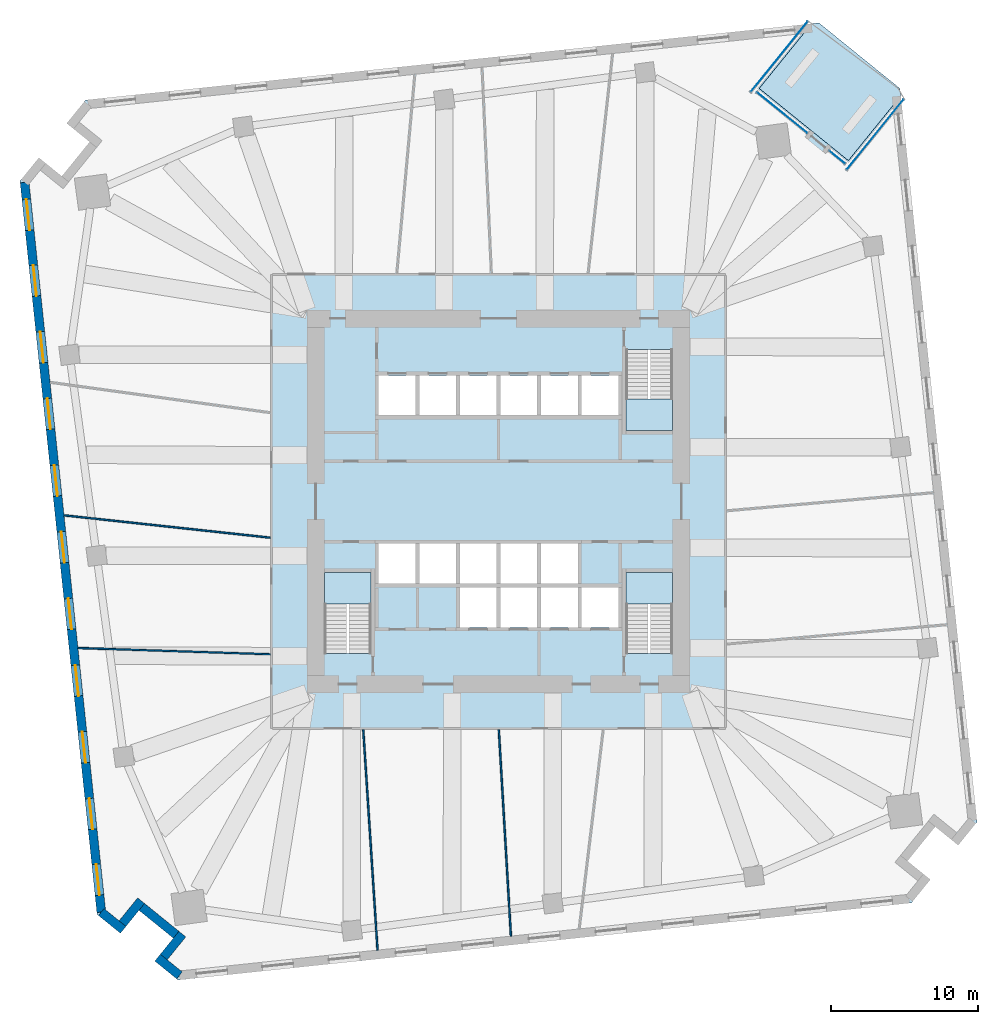
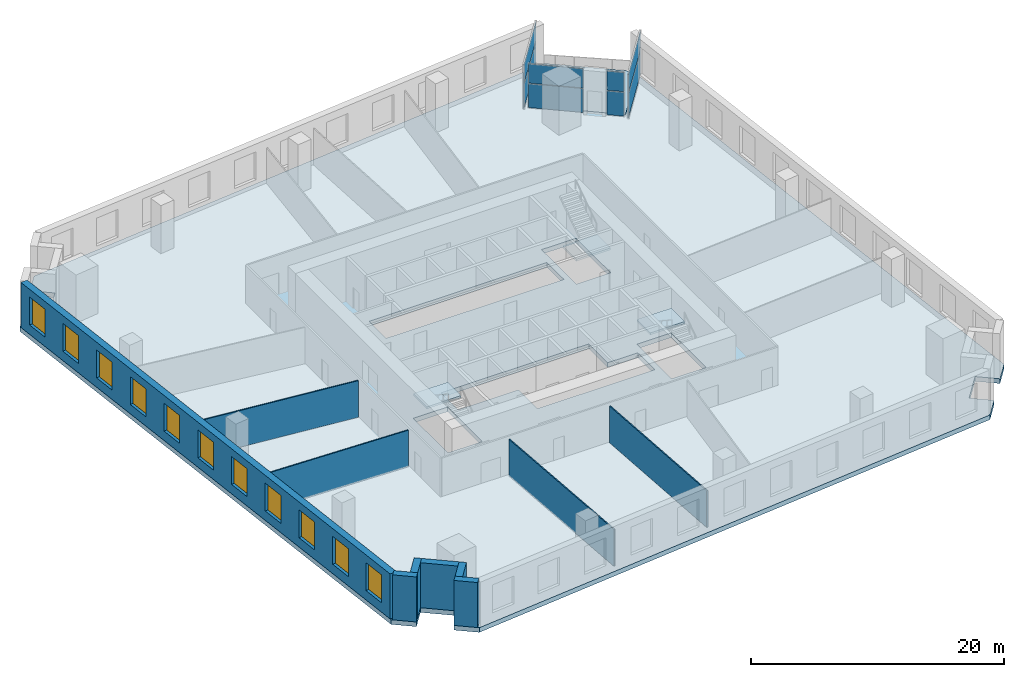
# One storey, part 3 of 10: 11 windows, 10 walls, 8 plates, 5 slabs, 11 openings, 7 elements without a shape of their own.
"""IFC4 building model written with IfcOpenShell, lengths in metres."""

from ifc_helpers import new_model, si_unit, direction, frame, frame_2d, origin, origin_2d, place, context, subcontext, project, spatial, polyline, rectangle, outline, extrude, material, layer, layer_set, type_object, element, fill, aggregate, save


model = new_model("IFC4")

# Units and contexts
model_context = context("Model", 3, precision=1e-05, world=origin(), true_north=direction((0.0, 1.0)))
body_context = subcontext(model_context, "Body", "Model", "MODEL_VIEW")
ifc_project = project(units=[si_unit("LENGTHUNIT", "METRE"), si_unit("AREAUNIT", "SQUARE_METRE"), si_unit("VOLUMEUNIT", "CUBIC_METRE"), si_unit("PLANEANGLEUNIT", "RADIAN"), si_unit("MASSUNIT", "GRAM", prefix="KILO")], contexts=[model_context])

# Site, building, storey
site_placement = place(None, origin())
site = spatial("IfcSite", under=ifc_project, at=site_placement, CompositionType="ELEMENT")
building_placement = place(site_placement, origin())
building = spatial("IfcBuilding", under=site, at=building_placement, Name="Dilmun Exchange Tower", CompositionType="ELEMENT")
storey_placement = place(building_placement, frame((0.0, 0.0, 36.89990234375)))
storey = spatial("IfcBuildingStorey", under=building, at=storey_placement, Name="L08", CompositionType="ELEMENT", Elevation=36.89990234375)

# Stair, slab
ifc_material_1 = material(Name="Concrete C40/50", Category="concrete")
stair_type = type_object("IfcStairType", Name="Exit stair 1500 half-turn", PredefinedType="HALF_TURN_STAIR", material=ifc_material_1)
stair_1_placement = place(storey_placement, origin())
stair_1 = element("IfcStair", 1, at=stair_1_placement, inside=storey, type_object=stair_type, Name="L08 Protected exit stair ST1", PredefinedType="HALF_TURN_STAIR")
ifc_layer_1 = layer(ifc_material_1, 0.199951171875)
ifc_layer_set_1 = layer_set([ifc_layer_1], Name="Concrete C40/50")
slab_type_1 = type_object("IfcSlabType", Name="Exit stair landing 200", PredefinedType="LANDING", material=ifc_layer_set_1)
slab_1_placement = place(storey_placement, frame((0.0, 0.0, 2.2001953125)))
slab_1 = element("IfcSlab", 2, at=slab_1_placement, type_object=slab_type_1, Name="ST1 landing 1", PredefinedType="LANDING", context=body_context, shape_type="SweptSolid", body=[
    extrude(outline(polyline([(8.64990234375, 6.93994140625), (8.64990234375, 4.800048828125), (11.800048828125, 4.800048828125), (11.800048828125, 6.93994140625), (8.64990234375, 6.93994140625)])), origin(), (0.0, 0.0, 1.0), 0.199951171875),
])
aggregate(stair_1, [slab_1])

stair_2_placement = place(storey_placement, origin())
stair_2 = element("IfcStair", 3, at=stair_2_placement, inside=storey, type_object=stair_type, Name="L08 Protected exit stair ST2", PredefinedType="HALF_TURN_STAIR")
slab_2_placement = place(storey_placement, frame((0.0, 0.0, 2.2001953125)))
slab_2 = element("IfcSlab", 4, at=slab_2_placement, type_object=slab_type_1, Name="ST2 landing 1", PredefinedType="LANDING", context=body_context, shape_type="SweptSolid", body=[
    extrude(outline(polyline([(-8.64990234375, -6.93994140625), (-8.64990234375, -4.800048828125), (-11.800048828125, -4.800048828125), (-11.800048828125, -6.93994140625), (-8.64990234375, -6.93994140625)])), origin(), (0.0, 0.0, 1.0), 0.199951171875),
])
aggregate(stair_2, [slab_2])

stair_3_placement = place(storey_placement, origin())
stair_3 = element("IfcStair", 5, at=stair_3_placement, inside=storey, type_object=stair_type, Name="L08 Protected exit stair ST3", PredefinedType="HALF_TURN_STAIR")
slab_3_placement = place(storey_placement, frame((0.0, 0.0, 2.2001953125)))
slab_3 = element("IfcSlab", 6, at=slab_3_placement, type_object=slab_type_1, Name="ST3 landing 1", PredefinedType="LANDING", context=body_context, shape_type="SweptSolid", body=[
    extrude(outline(polyline([(11.800048828125, -6.93994140625), (11.800048828125, -4.800048828125), (8.64990234375, -4.800048828125), (8.64990234375, -6.93994140625), (11.800048828125, -6.93994140625)])), origin(), (0.0, 0.0, 1.0), 0.199951171875),
])
aggregate(stair_3, [slab_3])

# Curtain wall, plates
ifc_material_2 = material(Name="Anodised aluminium and clear glass", Category="aluminium")
curtain_wall_type = type_object("IfcCurtainWallType", Name="Garden corner glazing", PredefinedType="NOTDEFINED", material=ifc_material_2)
curtain_wall_1_placement = place(storey_placement, origin())
curtain_wall_1 = element("IfcCurtainWall", 7, at=curtain_wall_1_placement, inside=storey, type_object=curtain_wall_type, Name="Garden corner glazing run GC1.1", PredefinedType="NOTDEFINED")
ifc_material_3 = material(Name="Clear glass", Category="glass")
ifc_layer_2 = layer(ifc_material_3, 0.028076171875)
ifc_layer_set_2 = layer_set([ifc_layer_2], Name="Clear glass")
plate_type = type_object("IfcPlateType", Name="Garden corner glazing glass panel 28", PredefinedType="CURTAIN_PANEL", material=ifc_layer_set_2)
plate_1_placement = place(storey_placement, frame((25.542236328125, 24.885498046875, 0.06005859375), z_axis=(0.0, 0.0, 1.0), x_axis=(-0.629328550374, -0.777139354096, 0.0)))
plate_1 = element("IfcPlate", 8, at=plate_1_placement, type_object=plate_type, Name="GC1.1 panel 1.1", PredefinedType="CURTAIN_PANEL", context=body_context, shape_type="SweptSolid", body=[
    extrude(rectangle(XDim=6.12646484375, YDim=0.028076171875, at=origin_2d()), origin(), (0.0, 0.0, 1.0), 2.31005859375),
])
plate_2_placement = place(storey_placement, frame((25.542236328125, 24.885498046875, 2.43017578125), z_axis=(0.0, 0.0, 1.0), x_axis=(-0.629328550374, -0.777139354096, 0.0)))
plate_2 = element("IfcPlate", 9, at=plate_2_placement, type_object=plate_type, Name="GC1.1 panel 1.2", PredefinedType="CURTAIN_PANEL", context=body_context, shape_type="SweptSolid", body=[
    extrude(rectangle(XDim=6.12646484375, YDim=0.028076171875, at=origin_2d()), origin(), (0.0, 0.0, 1.0), 1.860107421875),
])
aggregate(curtain_wall_1, [plate_1, plate_2])

curtain_wall_2_placement = place(storey_placement, origin())
curtain_wall_2 = element("IfcCurtainWall", 10, at=curtain_wall_2_placement, inside=storey, type_object=curtain_wall_type, Name="Garden corner glazing run GC2.1", PredefinedType="NOTDEFINED")
plate_3_placement = place(storey_placement, frame((22.953857421875, 23.348876953125, 0.06005859375), z_axis=(0.0, 0.0, 1.0), x_axis=(-0.777140076712, 0.629327658035, 0.0)))
plate_3 = element("IfcPlate", 11, at=plate_3_placement, type_object=plate_type, Name="GC2.1 panel 1.1", PredefinedType="CURTAIN_PANEL", context=body_context, shape_type="SweptSolid", body=[
    extrude(rectangle(XDim=1.369140625, YDim=0.028076171875, at=origin_2d()), origin(), (0.0, 0.0, 1.0), 2.31005859375),
])
plate_4_placement = place(storey_placement, frame((22.953857421875, 23.348876953125, 2.43017578125), z_axis=(0.0, 0.0, 1.0), x_axis=(-0.777140076712, 0.629327658035, 0.0)))
plate_4 = element("IfcPlate", 12, at=plate_4_placement, type_object=plate_type, Name="GC2.1 panel 1.2", PredefinedType="CURTAIN_PANEL", context=body_context, shape_type="SweptSolid", body=[
    extrude(rectangle(XDim=1.369140625, YDim=0.028076171875, at=origin_2d()), origin(), (0.0, 0.0, 1.0), 1.860107421875),
])
aggregate(curtain_wall_2, [plate_3, plate_4])

curtain_wall_3_placement = place(storey_placement, origin())
curtain_wall_3 = element("IfcCurtainWall", 13, at=curtain_wall_3_placement, inside=storey, type_object=curtain_wall_type, Name="Garden corner glazing run GC2.3", PredefinedType="NOTDEFINED")
plate_5_placement = place(storey_placement, frame((19.23193359375, 26.36279296875, 0.06005859375), z_axis=(0.0, 0.0, 1.0), x_axis=(-0.777156154153, 0.62930780391, 0.0)))
plate_5 = element("IfcPlate", 14, at=plate_5_placement, type_object=plate_type, Name="GC2.3 panel 1.1", PredefinedType="CURTAIN_PANEL", context=body_context, shape_type="SweptSolid", body=[
    extrude(rectangle(XDim=4.369140625, YDim=0.028076171875, at=origin_2d()), origin(), (0.0, 0.0, 1.0), 2.31005859375),
])
plate_6_placement = place(storey_placement, frame((19.23193359375, 26.36279296875, 2.43017578125), z_axis=(0.0, 0.0, 1.0), x_axis=(-0.777156154153, 0.62930780391, 0.0)))
plate_6 = element("IfcPlate", 15, at=plate_6_placement, type_object=plate_type, Name="GC2.3 panel 1.2", PredefinedType="CURTAIN_PANEL", context=body_context, shape_type="SweptSolid", body=[
    extrude(rectangle(XDim=4.369140625, YDim=0.028076171875, at=origin_2d()), origin(), (0.0, 0.0, 1.0), 1.860107421875),
])
aggregate(curtain_wall_3, [plate_5, plate_6])

curtain_wall_4_placement = place(storey_placement, origin())
curtain_wall_4 = element("IfcCurtainWall", 16, at=curtain_wall_4_placement, inside=storey, type_object=curtain_wall_type, Name="Garden corner glazing run GC3.1", PredefinedType="NOTDEFINED")
plate_7_placement = place(storey_placement, frame((19.03125, 30.158203125, 0.06005859375), z_axis=(0.0, 0.0, 1.0), x_axis=(0.629318881674, 0.777147183723, 0.0)))
plate_7 = element("IfcPlate", 17, at=plate_7_placement, type_object=plate_type, Name="GC3.1 panel 1.1", PredefinedType="CURTAIN_PANEL", context=body_context, shape_type="SweptSolid", body=[
    extrude(rectangle(XDim=6.12646484375, YDim=0.028076171875, at=origin_2d()), origin(), (0.0, 0.0, 1.0), 2.31005859375),
])
plate_8_placement = place(storey_placement, frame((19.03125, 30.158203125, 2.43017578125), z_axis=(0.0, 0.0, 1.0), x_axis=(0.629318881674, 0.777147183723, 0.0)))
plate_8 = element("IfcPlate", 18, at=plate_8_placement, type_object=plate_type, Name="GC3.1 panel 1.2", PredefinedType="CURTAIN_PANEL", context=body_context, shape_type="SweptSolid", body=[
    extrude(rectangle(XDim=6.12646484375, YDim=0.028076171875, at=origin_2d()), origin(), (0.0, 0.0, 1.0), 1.860107421875),
])
aggregate(curtain_wall_4, [plate_7, plate_8])

# Slabs
ifc_layer_3 = layer(ifc_material_1, 0.449951171875)
ifc_layer_set_3 = layer_set([ifc_layer_3], Name="Concrete C40/50")
slab_type_2 = type_object("IfcSlabType", Name="RC floor slab 450", PredefinedType="FLOOR", material=ifc_layer_set_3)
slab_4_placement = place(storey_placement, frame((0.0, 0.0, -0.449951171875)))
element("IfcSlab", 19, at=slab_4_placement, inside=storey, type_object=slab_type_2, Name="Floor slab", PredefinedType="FLOOR", context=body_context, shape_type="SweptSolid", body=[
    extrude(outline(polyline([(31.16796875, -23.30908203125), (29.613525390625, -22.050537109375), (27.7255859375, -24.3818359375), (29.27978515625, -25.640380859375), (27.998779296875, -27.222412109375), (-21.727294921875, -32.448974609375), (-23.30908203125, -31.16796875), (-22.050537109375, -29.613525390625), (-24.3818359375, -27.7255859375), (-25.640380859375, -29.27978515625), (-27.222412109375, -27.998779296875), (-32.448974609375, 21.727294921875), (-31.16796875, 23.30908203125), (-29.613525390625, 22.050537109375), (-27.7255859375, 24.3818359375), (-29.27978515625, 25.640380859375), (-27.998779296875, 27.222412109375), (21.22998046875, 32.396484375), (17.676513671875, 28.008544921875), (23.72119140625, 23.113525390625), (27.274658203125, 27.501708984375), (32.448974609375, -21.727294921875), (31.16796875, -23.30908203125)]), holes=[polyline([(-8.64990234375, -4.800048828125), (-11.800048828125, -4.800048828125), (-11.800048828125, -10.294921875), (-8.64990234375, -10.294921875), (-8.64990234375, -4.800048828125)]), polyline([(11.800048828125, -4.800048828125), (8.64990234375, -4.800048828125), (8.64990234375, -10.294921875), (11.800048828125, -10.294921875), (11.800048828125, -4.800048828125)]), polyline([(-8.125, -2.85009765625), (-8.125, -5.550048828125), (-2.625, -5.550048828125), (-2.625, -8.550048828125), (8.125, -8.550048828125), (8.125, -5.85009765625), (5.375, -5.85009765625), (5.375, -2.85009765625), (-8.125, -2.85009765625)]), polyline([(-8.125, 5.85009765625), (8.125, 5.85009765625), (8.125, 8.550048828125), (-8.125, 8.550048828125), (-8.125, 5.85009765625)]), polyline([(8.64990234375, 10.294921875), (8.64990234375, 4.800048828125), (11.800048828125, 4.800048828125), (11.800048828125, 10.294921875), (8.64990234375, 10.294921875)])]), origin(), (0.0, 0.0, 1.0), 0.449951171875),
])
ifc_layer_4 = layer(ifc_material_1, 0.300048828125)
ifc_layer_set_4 = layer_set([ifc_layer_4], Name="Concrete C40/50")
slab_type_3 = type_object("IfcSlabType", Name="RC garden terrace slab 300", PredefinedType="FLOOR", material=ifc_layer_set_4)
slab_5_placement = place(storey_placement, frame((0.0, 0.0, -0.2998046875)))
element("IfcSlab", 20, at=slab_5_placement, inside=storey, type_object=slab_type_3, Name="Garden terrace slab", PredefinedType="FLOOR", context=body_context, shape_type="SweptSolid", body=[
    extrude(outline(polyline([(17.676513671875, 28.008544921875), (21.22998046875, 32.396484375), (21.727294921875, 32.448974609375), (27.222412109375, 27.998779296875), (27.274658203125, 27.501708984375), (23.72119140625, 23.113525390625), (17.676513671875, 28.008544921875)])), origin(), (0.0, 0.0, 1.0), 0.2998046875),
])

# Walls
ifc_material_4 = material(Name="Partition 100")
ifc_layer_5 = layer(ifc_material_4, 0.10009765625)
ifc_layer_set_5 = layer_set([ifc_layer_5], Name="Partition 100")
wall_type_1 = type_object("IfcWallType", Name="Partition 100", PredefinedType="PARTITIONING", material=ifc_layer_set_5)
wall_1_placement = place(storey_placement, frame((-29.4609375, -0.94140625, 0.0), z_axis=(0.0, 0.0, 1.0), x_axis=(0.994180492655, -0.107727192598, 0.0)))
element("IfcWall", 21, at=wall_1_placement, inside=storey, type_object=wall_type_1, Name="Partition", PredefinedType="PARTITIONING", context=body_context, shape_type="SweptSolid", body=[
    extrude(rectangle(XDim=14.062255859375, YDim=0.10009765625, at=frame_2d((7.03125, 0.0))), origin(), (0.0, 0.0, 1.0), 3.550048828125),
])
wall_2_placement = place(storey_placement, frame((-28.515625, -9.935791015625, 0.0), z_axis=(0.0, 0.0, 1.0), x_axis=(0.999467274865, -0.032636888245, 0.0)))
element("IfcWall", 22, at=wall_2_placement, inside=storey, type_object=wall_type_1, Name="Partition", PredefinedType="PARTITIONING", context=body_context, shape_type="SweptSolid", body=[
    extrude(rectangle(XDim=13.0458984375, YDim=0.10009765625, at=frame_2d((6.52294921875, 0.0))), origin(), (0.0, 0.0, 1.0), 3.550048828125),
])
wall_3_placement = place(storey_placement, frame((-9.173828125, -15.478271484375, 0.0), z_axis=(0.0, 0.0, 1.0), x_axis=(0.064755162469, -0.997901181948, 0.0)))
element("IfcWall", 23, at=wall_3_placement, inside=storey, type_object=wall_type_1, Name="Partition", PredefinedType="PARTITIONING", context=body_context, shape_type="SweptSolid", body=[
    extrude(rectangle(XDim=14.975341796875, YDim=0.10009765625, at=frame_2d((7.48779296875, 0.0))), origin(), (0.0, 0.0, 1.0), 3.550048828125),
])
wall_4_placement = place(storey_placement, frame((0.0185546875, -15.477783203125, 0.0), z_axis=(0.0, 0.0, 1.0), x_axis=(0.058657702067, -0.998278154618, 0.0)))
element("IfcWall", 24, at=wall_4_placement, inside=storey, type_object=wall_type_1, Name="Partition", PredefinedType="PARTITIONING", context=body_context, shape_type="SweptSolid", body=[
    extrude(rectangle(XDim=14.01806640625, YDim=0.10009765625, at=frame_2d((7.009033203125, 0.0))), origin(), (0.0, 0.0, 1.0), 3.550048828125),
])

# Wall, openings, windows
ifc_material_5 = material(Name="Precast concrete C50/60", Category="concrete")
ifc_layer_6 = layer(ifc_material_5, 0.60009765625)
ifc_layer_set_6 = layer_set([ifc_layer_6], Name="Precast concrete C50/60")
wall_type_2 = type_object("IfcWallType", Name="Precast stone-clad wall 600", PredefinedType="STANDARD", material=ifc_layer_set_6)
wall_5_placement = place(storey_placement, frame((-32.137451171875, 21.635009765625, 0.0), z_axis=(0.0, 0.0, 1.0), x_axis=(0.104528196591, -0.994521923397, 0.0)))
wall_5 = element("IfcWall", 25, at=wall_5_placement, inside=storey, type_object=wall_type_2, Name="Facade wall L08-09", PredefinedType="STANDARD", context=body_context, shape_type="SweptSolid", body=[
    extrude(rectangle(XDim=49.75146484375, YDim=0.60009765625, at=frame_2d((24.875732421875, 0.0))), origin(), (0.0, 0.0, 1.0), 4.35009765625),
])
opening_1_placement = place(wall_5_placement, frame((1.16064453125, 0.0, 0.89990234375)))
opening_1 = element("IfcOpeningElement", 26, at=opening_1_placement, cuts=wall_5, Name="Opening W210-270", PredefinedType="OPENING", context=body_context, shape_type="SweptSolid", body=[
    extrude(rectangle(XDim=2.10009765625, YDim=2.699951171875, at=frame_2d((1.050048828125, 1.35009765625))), frame((0.0, 0.31005859375, 0.0), z_axis=(0.0, -1.0, 0.0), x_axis=(1.0, 0.0, 0.0)), (0.0, 0.0, 1.0), 0.6201171875),
])
opening_2_placement = place(wall_5_placement, frame((5.643798828125, 0.0, 0.89990234375)))
opening_2 = element("IfcOpeningElement", 27, at=opening_2_placement, cuts=wall_5, Name="Opening W210-270", PredefinedType="OPENING", context=body_context, shape_type="SweptSolid", body=[
    extrude(rectangle(XDim=2.10009765625, YDim=2.699951171875, at=frame_2d((1.050048828125, 1.35009765625))), frame((0.0, 0.31005859375, 0.0), z_axis=(0.0, -1.0, 0.0), x_axis=(1.0, 0.0, 0.0)), (0.0, 0.0, 1.0), 0.6201171875),
])
opening_3_placement = place(wall_5_placement, frame((10.189453125, 0.0, 0.89990234375)))
opening_3 = element("IfcOpeningElement", 28, at=opening_3_placement, cuts=wall_5, Name="Opening W210-270", PredefinedType="OPENING", context=body_context, shape_type="SweptSolid", body=[
    extrude(rectangle(XDim=2.10009765625, YDim=2.699951171875, at=frame_2d((1.050048828125, 1.35009765625))), frame((0.0, 0.31005859375, 0.0), z_axis=(0.0, -1.0, 0.0), x_axis=(1.0, 0.0, 0.0)), (0.0, 0.0, 1.0), 0.6201171875),
])
opening_4_placement = place(wall_5_placement, frame((14.73486328125, 0.0, 0.89990234375)))
opening_4 = element("IfcOpeningElement", 29, at=opening_4_placement, cuts=wall_5, Name="Opening W210-270", PredefinedType="OPENING", context=body_context, shape_type="SweptSolid", body=[
    extrude(rectangle(XDim=2.10009765625, YDim=2.699951171875, at=frame_2d((1.050048828125, 1.35009765625))), frame((0.0, 0.31005859375, 0.0), z_axis=(0.0, -1.0, 0.0), x_axis=(1.0, 0.0, 0.0)), (0.0, 0.0, 1.0), 0.6201171875),
])
opening_5_placement = place(wall_5_placement, frame((19.2802734375, 0.0, 0.89990234375)))
opening_5 = element("IfcOpeningElement", 30, at=opening_5_placement, cuts=wall_5, Name="Opening W210-270", PredefinedType="OPENING", context=body_context, shape_type="SweptSolid", body=[
    extrude(rectangle(XDim=2.10009765625, YDim=2.699951171875, at=frame_2d((1.050048828125, 1.35009765625))), frame((0.0, 0.31005859375, 0.0), z_axis=(0.0, -1.0, 0.0), x_axis=(1.0, 0.0, 0.0)), (0.0, 0.0, 1.0), 0.6201171875),
])
opening_6_placement = place(wall_5_placement, frame((23.82568359375, 0.0, 0.89990234375)))
opening_6 = element("IfcOpeningElement", 31, at=opening_6_placement, cuts=wall_5, Name="Opening W210-270", PredefinedType="OPENING", context=body_context, shape_type="SweptSolid", body=[
    extrude(rectangle(XDim=2.10009765625, YDim=2.699951171875, at=frame_2d((1.050048828125, 1.35009765625))), frame((0.0, 0.31005859375, 0.0), z_axis=(0.0, -1.0, 0.0), x_axis=(1.0, 0.0, 0.0)), (0.0, 0.0, 1.0), 0.6201171875),
])
opening_7_placement = place(wall_5_placement, frame((28.37109375, 0.0, 0.89990234375)))
opening_7 = element("IfcOpeningElement", 32, at=opening_7_placement, cuts=wall_5, Name="Opening W210-270", PredefinedType="OPENING", context=body_context, shape_type="SweptSolid", body=[
    extrude(rectangle(XDim=2.10009765625, YDim=2.699951171875, at=frame_2d((1.050048828125, 1.35009765625))), frame((0.0, 0.31005859375, 0.0), z_axis=(0.0, -1.0, 0.0), x_axis=(1.0, 0.0, 0.0)), (0.0, 0.0, 1.0), 0.6201171875),
])
opening_8_placement = place(wall_5_placement, frame((32.91650390625, 0.0, 0.89990234375)))
opening_8 = element("IfcOpeningElement", 33, at=opening_8_placement, cuts=wall_5, Name="Opening W210-270", PredefinedType="OPENING", context=body_context, shape_type="SweptSolid", body=[
    extrude(rectangle(XDim=2.10009765625, YDim=2.699951171875, at=frame_2d((1.050048828125, 1.35009765625))), frame((0.0, 0.31005859375, 0.0), z_axis=(0.0, -1.0, 0.0), x_axis=(1.0, 0.0, 0.0)), (0.0, 0.0, 1.0), 0.6201171875),
])
opening_9_placement = place(wall_5_placement, frame((37.462158203125, 0.0, 0.89990234375)))
opening_9 = element("IfcOpeningElement", 34, at=opening_9_placement, cuts=wall_5, Name="Opening W210-270", PredefinedType="OPENING", context=body_context, shape_type="SweptSolid", body=[
    extrude(rectangle(XDim=2.10009765625, YDim=2.699951171875, at=frame_2d((1.050048828125, 1.35009765625))), frame((0.0, 0.31005859375, 0.0), z_axis=(0.0, -1.0, 0.0), x_axis=(1.0, 0.0, 0.0)), (0.0, 0.0, 1.0), 0.6201171875),
])
opening_10_placement = place(wall_5_placement, frame((42.007568359375, 0.0, 0.89990234375)))
opening_10 = element("IfcOpeningElement", 35, at=opening_10_placement, cuts=wall_5, Name="Opening W210-270", PredefinedType="OPENING", context=body_context, shape_type="SweptSolid", body=[
    extrude(rectangle(XDim=2.10009765625, YDim=2.699951171875, at=frame_2d((1.050048828125, 1.35009765625))), frame((0.0, 0.31005859375, 0.0), z_axis=(0.0, -1.0, 0.0), x_axis=(1.0, 0.0, 0.0)), (0.0, 0.0, 1.0), 0.6201171875),
])
opening_11_placement = place(wall_5_placement, frame((46.490966796875, 0.0, 0.89990234375)))
opening_11 = element("IfcOpeningElement", 36, at=opening_11_placement, cuts=wall_5, Name="Opening W210-270", PredefinedType="OPENING", context=body_context, shape_type="SweptSolid", body=[
    extrude(rectangle(XDim=2.10009765625, YDim=2.699951171875, at=frame_2d((1.050048828125, 1.35009765625))), frame((0.0, 0.31005859375, 0.0), z_axis=(0.0, -1.0, 0.0), x_axis=(1.0, 0.0, 0.0)), (0.0, 0.0, 1.0), 0.6201171875),
])
ifc_material_6 = material(Name="Clear low-emissivity glass in aluminium frame", Category="aluminium")
window_type = type_object("IfcWindowType", Name="Punched window 2100 x 2700", PartitioningType="DOUBLE_PANEL_VERTICAL", PredefinedType="WINDOW", material=ifc_material_6)
window_1_placement = place(opening_1_placement, origin())
window_1 = element("IfcWindow", 37, at=window_1_placement, inside=storey, type_object=window_type, Name="Window 10.1", OverallHeight=2.699951171875, OverallWidth=2.10009765625, PartitioningType="SINGLE_PANEL", PredefinedType="WINDOW", context=body_context, shape_type="SweptSolid", body=[
    extrude(rectangle(XDim=2.10009765625, YDim=2.699951171875, at=frame_2d((1.050048828125, 1.35009765625))), frame((0.0, 0.030029296875, 0.0), z_axis=(0.0, -1.0, 0.0), x_axis=(1.0, 0.0, 0.0)), (0.0, 0.0, 1.0), 0.06005859375),
])
fill(opening_1, window_1)
window_2_placement = place(opening_2_placement, origin())
window_2 = element("IfcWindow", 38, at=window_2_placement, inside=storey, type_object=window_type, Name="Window 10.2", OverallHeight=2.699951171875, OverallWidth=2.10009765625, PartitioningType="SINGLE_PANEL", PredefinedType="WINDOW", context=body_context, shape_type="SweptSolid", body=[
    extrude(rectangle(XDim=2.10009765625, YDim=2.699951171875, at=frame_2d((1.050048828125, 1.35009765625))), frame((0.0, 0.030029296875, 0.0), z_axis=(0.0, -1.0, 0.0), x_axis=(1.0, 0.0, 0.0)), (0.0, 0.0, 1.0), 0.06005859375),
])
fill(opening_2, window_2)
window_3_placement = place(opening_3_placement, origin())
window_3 = element("IfcWindow", 39, at=window_3_placement, inside=storey, type_object=window_type, Name="Window 10.3", OverallHeight=2.699951171875, OverallWidth=2.10009765625, PartitioningType="SINGLE_PANEL", PredefinedType="WINDOW", context=body_context, shape_type="SweptSolid", body=[
    extrude(rectangle(XDim=2.10009765625, YDim=2.699951171875, at=frame_2d((1.050048828125, 1.35009765625))), frame((0.0, 0.030029296875, 0.0), z_axis=(0.0, -1.0, 0.0), x_axis=(1.0, 0.0, 0.0)), (0.0, 0.0, 1.0), 0.06005859375),
])
fill(opening_3, window_3)
window_4_placement = place(opening_4_placement, origin())
window_4 = element("IfcWindow", 40, at=window_4_placement, inside=storey, type_object=window_type, Name="Window 10.4", OverallHeight=2.699951171875, OverallWidth=2.10009765625, PartitioningType="SINGLE_PANEL", PredefinedType="WINDOW", context=body_context, shape_type="SweptSolid", body=[
    extrude(rectangle(XDim=2.10009765625, YDim=2.699951171875, at=frame_2d((1.050048828125, 1.35009765625))), frame((0.0, 0.030029296875, 0.0), z_axis=(0.0, -1.0, 0.0), x_axis=(1.0, 0.0, 0.0)), (0.0, 0.0, 1.0), 0.06005859375),
])
fill(opening_4, window_4)
window_5_placement = place(opening_5_placement, origin())
window_5 = element("IfcWindow", 41, at=window_5_placement, inside=storey, type_object=window_type, Name="Window 10.5", OverallHeight=2.699951171875, OverallWidth=2.10009765625, PartitioningType="SINGLE_PANEL", PredefinedType="WINDOW", context=body_context, shape_type="SweptSolid", body=[
    extrude(rectangle(XDim=2.10009765625, YDim=2.699951171875, at=frame_2d((1.050048828125, 1.35009765625))), frame((0.0, 0.030029296875, 0.0), z_axis=(0.0, -1.0, 0.0), x_axis=(1.0, 0.0, 0.0)), (0.0, 0.0, 1.0), 0.06005859375),
])
fill(opening_5, window_5)
window_6_placement = place(opening_6_placement, origin())
window_6 = element("IfcWindow", 42, at=window_6_placement, inside=storey, type_object=window_type, Name="Window 10.6", OverallHeight=2.699951171875, OverallWidth=2.10009765625, PartitioningType="SINGLE_PANEL", PredefinedType="WINDOW", context=body_context, shape_type="SweptSolid", body=[
    extrude(rectangle(XDim=2.10009765625, YDim=2.699951171875, at=frame_2d((1.050048828125, 1.35009765625))), frame((0.0, 0.030029296875, 0.0), z_axis=(0.0, -1.0, 0.0), x_axis=(1.0, 0.0, 0.0)), (0.0, 0.0, 1.0), 0.06005859375),
])
fill(opening_6, window_6)
window_7_placement = place(opening_7_placement, origin())
window_7 = element("IfcWindow", 43, at=window_7_placement, inside=storey, type_object=window_type, Name="Window 10.7", OverallHeight=2.699951171875, OverallWidth=2.10009765625, PartitioningType="SINGLE_PANEL", PredefinedType="WINDOW", context=body_context, shape_type="SweptSolid", body=[
    extrude(rectangle(XDim=2.10009765625, YDim=2.699951171875, at=frame_2d((1.050048828125, 1.35009765625))), frame((0.0, 0.030029296875, 0.0), z_axis=(0.0, -1.0, 0.0), x_axis=(1.0, 0.0, 0.0)), (0.0, 0.0, 1.0), 0.06005859375),
])
fill(opening_7, window_7)
window_8_placement = place(opening_8_placement, origin())
window_8 = element("IfcWindow", 44, at=window_8_placement, inside=storey, type_object=window_type, Name="Window 10.8", OverallHeight=2.699951171875, OverallWidth=2.10009765625, PartitioningType="SINGLE_PANEL", PredefinedType="WINDOW", context=body_context, shape_type="SweptSolid", body=[
    extrude(rectangle(XDim=2.10009765625, YDim=2.699951171875, at=frame_2d((1.050048828125, 1.35009765625))), frame((0.0, 0.030029296875, 0.0), z_axis=(0.0, -1.0, 0.0), x_axis=(1.0, 0.0, 0.0)), (0.0, 0.0, 1.0), 0.06005859375),
])
fill(opening_8, window_8)
window_9_placement = place(opening_9_placement, origin())
window_9 = element("IfcWindow", 45, at=window_9_placement, inside=storey, type_object=window_type, Name="Window 10.9", OverallHeight=2.699951171875, OverallWidth=2.10009765625, PartitioningType="SINGLE_PANEL", PredefinedType="WINDOW", context=body_context, shape_type="SweptSolid", body=[
    extrude(rectangle(XDim=2.10009765625, YDim=2.699951171875, at=frame_2d((1.050048828125, 1.35009765625))), frame((0.0, 0.030029296875, 0.0), z_axis=(0.0, -1.0, 0.0), x_axis=(1.0, 0.0, 0.0)), (0.0, 0.0, 1.0), 0.06005859375),
])
fill(opening_9, window_9)
window_10_placement = place(opening_10_placement, origin())
window_10 = element("IfcWindow", 46, at=window_10_placement, inside=storey, type_object=window_type, Name="Window 10.10", OverallHeight=2.699951171875, OverallWidth=2.10009765625, PartitioningType="SINGLE_PANEL", PredefinedType="WINDOW", context=body_context, shape_type="SweptSolid", body=[
    extrude(rectangle(XDim=2.10009765625, YDim=2.699951171875, at=frame_2d((1.050048828125, 1.35009765625))), frame((0.0, 0.030029296875, 0.0), z_axis=(0.0, -1.0, 0.0), x_axis=(1.0, 0.0, 0.0)), (0.0, 0.0, 1.0), 0.06005859375),
])
fill(opening_10, window_10)
window_11_placement = place(opening_11_placement, origin())
window_11 = element("IfcWindow", 47, at=window_11_placement, inside=storey, type_object=window_type, Name="Window 10.11", OverallHeight=2.699951171875, OverallWidth=2.10009765625, PartitioningType="SINGLE_PANEL", PredefinedType="WINDOW", context=body_context, shape_type="SweptSolid", body=[
    extrude(rectangle(XDim=2.10009765625, YDim=2.699951171875, at=frame_2d((1.050048828125, 1.35009765625))), frame((0.0, 0.030029296875, 0.0), z_axis=(0.0, -1.0, 0.0), x_axis=(1.0, 0.0, 0.0)), (0.0, 0.0, 1.0), 0.06005859375),
])
fill(opening_11, window_11)

# Walls
wall_6_placement = place(storey_placement, frame((-26.93701171875, -27.843994140625, 0.0), z_axis=(0.0, 0.0, 1.0), x_axis=(0.777128847746, -0.629341524136, 0.0)))
element("IfcWall", 48, at=wall_6_placement, inside=storey, type_object=wall_type_2, Name="Facade wall L08-10", PredefinedType="STANDARD", context=body_context, shape_type="SweptSolid", body=[
    extrude(rectangle(XDim=1.911376953125, YDim=0.60009765625, at=frame_2d((0.95556640625, 0.0))), origin(), (0.0, 0.0, 1.0), 4.35009765625),
])
wall_7_placement = place(storey_placement, frame((-25.49609375, -28.624755859375, 0.0), z_axis=(0.0, 0.0, 1.0), x_axis=(0.629387834958, 0.777091341611, 0.0)))
element("IfcWall", 49, at=wall_7_placement, inside=storey, type_object=wall_type_2, Name="Facade wall L08-11", PredefinedType="STANDARD", context=body_context, shape_type="SweptSolid", body=[
    extrude(rectangle(XDim=2.0, YDim=0.60009765625, at=frame_2d((1.0, 0.0))), origin(), (0.0, 0.0, 1.0), 4.35009765625),
])
wall_8_placement = place(storey_placement, frame((-24.193115234375, -27.492431640625, 0.0), z_axis=(0.0, 0.0, 1.0), x_axis=(0.777131144068, -0.629338688562, 0.0)))
element("IfcWall", 50, at=wall_8_placement, inside=storey, type_object=wall_type_2, Name="Facade wall L08-12", PredefinedType="STANDARD", context=body_context, shape_type="SweptSolid", body=[
    extrude(rectangle(XDim=3.0, YDim=0.60009765625, at=frame_2d((1.5, 0.0))), origin(), (0.0, 0.0, 1.0), 4.35009765625),
])
wall_9_placement = place(storey_placement, frame((-21.439697265625, -29.336181640625, 0.0), z_axis=(0.0, 0.0, 1.0), x_axis=(-0.629387834958, -0.777091341611, 0.0)))
element("IfcWall", 51, at=wall_9_placement, inside=storey, type_object=wall_type_2, Name="Facade wall L08-13", PredefinedType="STANDARD", context=body_context, shape_type="SweptSolid", body=[
    extrude(rectangle(XDim=2.0, YDim=0.60009765625, at=frame_2d((1.0, 0.0))), origin(), (0.0, 0.0, 1.0), 4.35009765625),
])
wall_10_placement = place(storey_placement, frame((-23.120361328125, -30.934814453125, 0.0), z_axis=(0.0, 0.0, 1.0), x_axis=(0.777191320627, -0.629264373012, 0.0)))
element("IfcWall", 52, at=wall_10_placement, inside=storey, type_object=wall_type_2, Name="Facade wall L08-14", PredefinedType="STANDARD", context=body_context, shape_type="SweptSolid", body=[
    extrude(rectangle(XDim=1.9111328125, YDim=0.60009765625, at=frame_2d((0.95556640625, 0.0))), origin(), (0.0, 0.0, 1.0), 4.35009765625),
])

save(model, "model.ifc")
